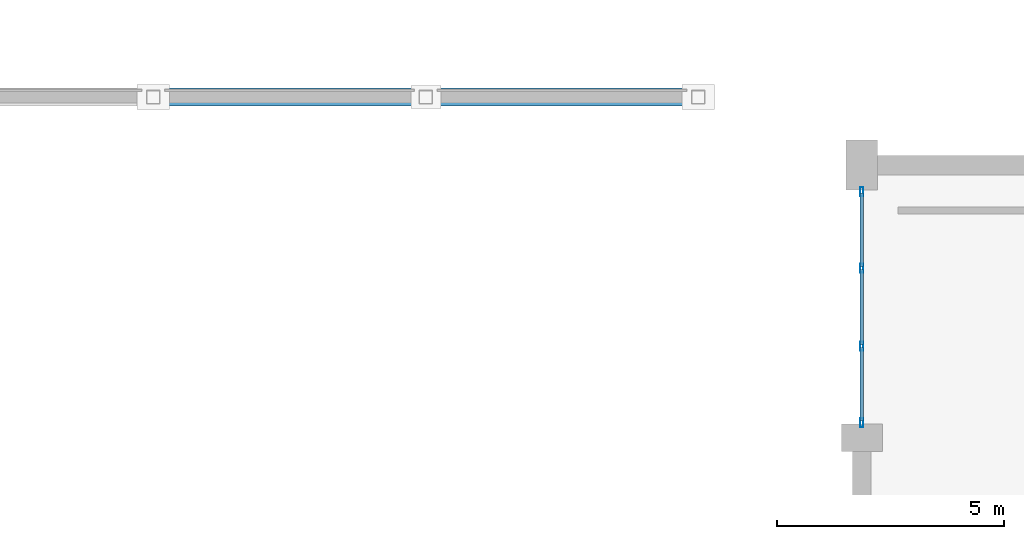
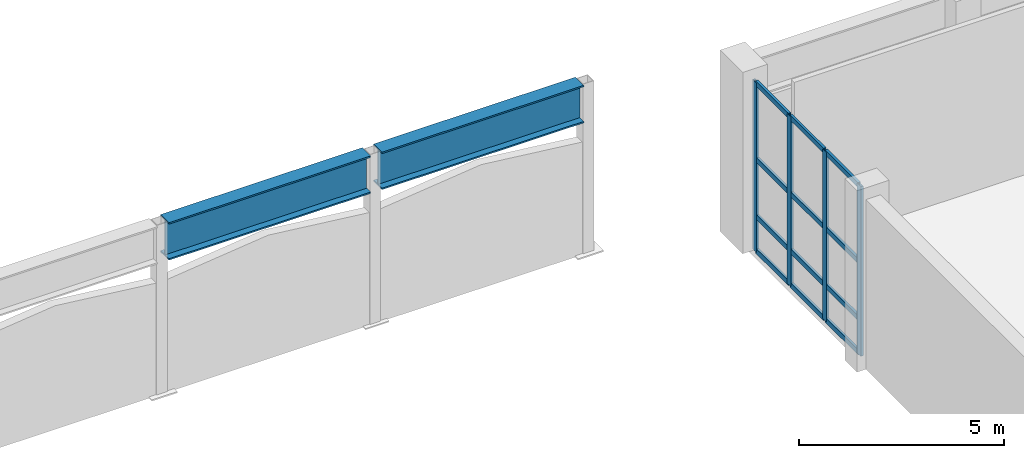
# One storey, part 16 of 41: 16 members, 2 beams, 1 element without a shape of its own.
"""IFC4 building model written with IfcOpenShell, lengths in metres."""

from ifc_helpers import new_model, si_unit, direction, frame, origin, origin_2d, place, context, subcontext, project, spatial, hollow_rectangle, i_section, extrude, material, layer, layer_set, material_profile, profile_set, type_object, element, aggregate, save


model = new_model("IFC4")

# Units and contexts
model_context = context("Model", 3, precision=1e-05, world=origin(), true_north=direction((0.0, 1.0)))
body_context = subcontext(model_context, "Body", "Model", "MODEL_VIEW")
ifc_project = project(units=[si_unit("LENGTHUNIT", "METRE"), si_unit("AREAUNIT", "SQUARE_METRE"), si_unit("VOLUMEUNIT", "CUBIC_METRE"), si_unit("PLANEANGLEUNIT", "RADIAN"), si_unit("MASSUNIT", "GRAM", prefix="KILO")], contexts=[model_context])

# Site, building, storey
site_placement = place(None, origin())
site = spatial("IfcSite", under=ifc_project, at=site_placement, CompositionType="ELEMENT")
building_placement = place(site_placement, origin())
building = spatial("IfcBuilding", under=site, at=building_placement, Name="Vaelkrest Opera House", CompositionType="ELEMENT")
storey_placement = place(building_placement, frame((0.0, 0.0, 24.60009765625)))
storey = spatial("IfcBuildingStorey", under=building, at=storey_placement, Name="L05", CompositionType="ELEMENT", Elevation=24.60009765625)

# Curtain wall, members
ifc_material_1 = material(Name="Dark bronze anodized aluminium", Category="aluminium")
ifc_layer = layer(ifc_material_1, 0.18994140625)
ifc_layer_set = layer_set([ifc_layer], Name="Dark bronze anodized aluminium")
curtain_wall_type = type_object("IfcCurtainWallType", Name="CW02", PredefinedType="NOTDEFINED", material=ifc_layer_set)
curtain_wall_placement = place(storey_placement, origin())
curtain_wall = element("IfcCurtainWall", 1, at=curtain_wall_placement, inside=storey, type_object=curtain_wall_type, Name="Curtain wall CW-L05-076", PredefinedType="NOTDEFINED")
ifc_material_profile_1 = material_profile(ifc_material_1, hollow_rectangle(XDim=0.070068359375, YDim=0.199951171875, WallThickness=0.004150390625, at=origin_2d()), Name="CWM70X200")
ifc_profile_set_1 = profile_set([ifc_material_profile_1], Name="Dark bronze anodized aluminium")
member_type_1 = type_object("IfcMemberType", Name="CWM02", PredefinedType="MULLION", material=ifc_profile_set_1)
member_1_placement = place(storey_placement, frame((-30.0, 10.532958984375, 0.0), z_axis=(0.0, 0.0, 1.0), x_axis=(-1.0, 0.0, 0.0)))
member_1 = element("IfcMember", 2, at=member_1_placement, type_object=member_type_1, Name="CW02 mullion 1", PredefinedType="MULLION", context=body_context, shape_type="SweptSolid", body=[
    extrude(hollow_rectangle(XDim=0.070068359375, YDim=0.199951171875, WallThickness=0.004150390625, at=origin_2d()), origin(), (0.0, 0.0, 1.0), 5.0498046875),
])
member_2_placement = place(storey_placement, frame((-30.0, 12.216064453125, 0.0), z_axis=(0.0, 0.0, 1.0), x_axis=(-1.0, 0.0, 0.0)))
member_2 = element("IfcMember", 3, at=member_2_placement, type_object=member_type_1, Name="CW02 mullion 2", PredefinedType="MULLION", context=body_context, shape_type="SweptSolid", body=[
    extrude(hollow_rectangle(XDim=0.070068359375, YDim=0.199951171875, WallThickness=0.004150390625, at=origin_2d()), origin(), (0.0, 0.0, 1.0), 5.0498046875),
])
member_3_placement = place(storey_placement, frame((-30.0, 13.93408203125, 0.0), z_axis=(0.0, 0.0, 1.0), x_axis=(-1.0, 0.0, 0.0)))
member_3 = element("IfcMember", 4, at=member_3_placement, type_object=member_type_1, Name="CW02 mullion 3", PredefinedType="MULLION", context=body_context, shape_type="SweptSolid", body=[
    extrude(hollow_rectangle(XDim=0.070068359375, YDim=0.199951171875, WallThickness=0.004150390625, at=origin_2d()), origin(), (0.0, 0.0, 1.0), 5.0498046875),
])
member_4_placement = place(storey_placement, frame((-30.0, 15.616943359375, 0.0), z_axis=(0.0, 0.0, 1.0), x_axis=(-1.0, 0.0, 0.0)))
member_4 = element("IfcMember", 5, at=member_4_placement, type_object=member_type_1, Name="CW02 mullion 4", PredefinedType="MULLION", context=body_context, shape_type="SweptSolid", body=[
    extrude(hollow_rectangle(XDim=0.070068359375, YDim=0.199951171875, WallThickness=0.004150390625, at=origin_2d()), origin(), (0.0, 0.0, 1.0), 5.0498046875),
])
ifc_material_profile_2 = material_profile(ifc_material_1, hollow_rectangle(XDim=0.070068359375, YDim=0.14990234375, WallThickness=0.004150390625, at=origin_2d()), Name="CWT70X150")
ifc_profile_set_2 = profile_set([ifc_material_profile_2], Name="Dark bronze anodized aluminium")
member_type_2 = type_object("IfcMemberType", Name="CWT02", PredefinedType="USERDEFINED", material=ifc_profile_set_2)
member_5_placement = place(storey_placement, frame((-30.0, 10.568115234375, 0.034912109375), z_axis=(0.0, 1.0, 0.0), x_axis=(-1.0, 0.0, 0.0)))
member_5 = element("IfcMember", 6, at=member_5_placement, type_object=member_type_2, Name="CW02 transom 1.1", ObjectType="TRANSOM", PredefinedType="USERDEFINED", context=body_context, shape_type="SweptSolid", body=[
    extrude(hollow_rectangle(XDim=0.070068359375, YDim=0.14990234375, WallThickness=0.004150390625, at=origin_2d()), origin(), (0.0, 0.0, 1.0), 1.61279296875),
])
member_6_placement = place(storey_placement, frame((-30.0, 10.568115234375, 1.0498046875), z_axis=(0.0, 1.0, 0.0), x_axis=(-1.0, 0.0, 0.0)))
member_6 = element("IfcMember", 7, at=member_6_placement, type_object=member_type_2, Name="CW02 transom 1.2", ObjectType="TRANSOM", PredefinedType="USERDEFINED", context=body_context, shape_type="SweptSolid", body=[
    extrude(hollow_rectangle(XDim=0.070068359375, YDim=0.14990234375, WallThickness=0.004150390625, at=origin_2d()), origin(), (0.0, 0.0, 1.0), 1.61279296875),
])
member_7_placement = place(storey_placement, frame((-30.0, 10.568115234375, 2.75), z_axis=(0.0, 1.0, 0.0), x_axis=(-1.0, 0.0, 0.0)))
member_7 = element("IfcMember", 8, at=member_7_placement, type_object=member_type_2, Name="CW02 transom 1.3", ObjectType="TRANSOM", PredefinedType="USERDEFINED", context=body_context, shape_type="SweptSolid", body=[
    extrude(hollow_rectangle(XDim=0.070068359375, YDim=0.14990234375, WallThickness=0.004150390625, at=origin_2d()), origin(), (0.0, 0.0, 1.0), 1.61279296875),
])
member_8_placement = place(storey_placement, frame((-30.0, 10.568115234375, 5.014892578125), z_axis=(0.0, 1.0, 0.0), x_axis=(-1.0, 0.0, 0.0)))
member_8 = element("IfcMember", 9, at=member_8_placement, type_object=member_type_2, Name="CW02 transom 1.4", ObjectType="TRANSOM", PredefinedType="USERDEFINED", context=body_context, shape_type="SweptSolid", body=[
    extrude(hollow_rectangle(XDim=0.070068359375, YDim=0.14990234375, WallThickness=0.004150390625, at=origin_2d()), origin(), (0.0, 0.0, 1.0), 1.61279296875),
])
member_9_placement = place(storey_placement, frame((-30.0, 12.2509765625, 0.034912109375), z_axis=(0.0, 1.0, 0.0), x_axis=(-1.0, 0.0, 0.0)))
member_9 = element("IfcMember", 10, at=member_9_placement, type_object=member_type_2, Name="CW02 transom 2.1", ObjectType="TRANSOM", PredefinedType="USERDEFINED", context=body_context, shape_type="SweptSolid", body=[
    extrude(hollow_rectangle(XDim=0.070068359375, YDim=0.14990234375, WallThickness=0.004150390625, at=origin_2d()), origin(), (0.0, 0.0, 1.0), 1.64794921875),
])
member_10_placement = place(storey_placement, frame((-30.0, 12.2509765625, 1.0498046875), z_axis=(0.0, 1.0, 0.0), x_axis=(-1.0, 0.0, 0.0)))
member_10 = element("IfcMember", 11, at=member_10_placement, type_object=member_type_2, Name="CW02 transom 2.2", ObjectType="TRANSOM", PredefinedType="USERDEFINED", context=body_context, shape_type="SweptSolid", body=[
    extrude(hollow_rectangle(XDim=0.070068359375, YDim=0.14990234375, WallThickness=0.004150390625, at=origin_2d()), origin(), (0.0, 0.0, 1.0), 1.64794921875),
])
member_11_placement = place(storey_placement, frame((-30.0, 12.2509765625, 2.75), z_axis=(0.0, 1.0, 0.0), x_axis=(-1.0, 0.0, 0.0)))
member_11 = element("IfcMember", 12, at=member_11_placement, type_object=member_type_2, Name="CW02 transom 2.3", ObjectType="TRANSOM", PredefinedType="USERDEFINED", context=body_context, shape_type="SweptSolid", body=[
    extrude(hollow_rectangle(XDim=0.070068359375, YDim=0.14990234375, WallThickness=0.004150390625, at=origin_2d()), origin(), (0.0, 0.0, 1.0), 1.64794921875),
])
member_12_placement = place(storey_placement, frame((-30.0, 12.2509765625, 5.014892578125), z_axis=(0.0, 1.0, 0.0), x_axis=(-1.0, 0.0, 0.0)))
member_12 = element("IfcMember", 13, at=member_12_placement, type_object=member_type_2, Name="CW02 transom 2.4", ObjectType="TRANSOM", PredefinedType="USERDEFINED", context=body_context, shape_type="SweptSolid", body=[
    extrude(hollow_rectangle(XDim=0.070068359375, YDim=0.14990234375, WallThickness=0.004150390625, at=origin_2d()), origin(), (0.0, 0.0, 1.0), 1.64794921875),
])
member_13_placement = place(storey_placement, frame((-30.0, 13.968994140625, 0.034912109375), z_axis=(0.0, 1.0, 0.0), x_axis=(-1.0, 0.0, 0.0)))
member_13 = element("IfcMember", 14, at=member_13_placement, type_object=member_type_2, Name="CW02 transom 3.1", ObjectType="TRANSOM", PredefinedType="USERDEFINED", context=body_context, shape_type="SweptSolid", body=[
    extrude(hollow_rectangle(XDim=0.070068359375, YDim=0.14990234375, WallThickness=0.004150390625, at=origin_2d()), origin(), (0.0, 0.0, 1.0), 1.613037109375),
])
member_14_placement = place(storey_placement, frame((-30.0, 13.968994140625, 1.0498046875), z_axis=(0.0, 1.0, 0.0), x_axis=(-1.0, 0.0, 0.0)))
member_14 = element("IfcMember", 15, at=member_14_placement, type_object=member_type_2, Name="CW02 transom 3.2", ObjectType="TRANSOM", PredefinedType="USERDEFINED", context=body_context, shape_type="SweptSolid", body=[
    extrude(hollow_rectangle(XDim=0.070068359375, YDim=0.14990234375, WallThickness=0.004150390625, at=origin_2d()), origin(), (0.0, 0.0, 1.0), 1.613037109375),
])
member_15_placement = place(storey_placement, frame((-30.0, 13.968994140625, 2.75), z_axis=(0.0, 1.0, 0.0), x_axis=(-1.0, 0.0, 0.0)))
member_15 = element("IfcMember", 16, at=member_15_placement, type_object=member_type_2, Name="CW02 transom 3.3", ObjectType="TRANSOM", PredefinedType="USERDEFINED", context=body_context, shape_type="SweptSolid", body=[
    extrude(hollow_rectangle(XDim=0.070068359375, YDim=0.14990234375, WallThickness=0.004150390625, at=origin_2d()), origin(), (0.0, 0.0, 1.0), 1.613037109375),
])
member_16_placement = place(storey_placement, frame((-30.0, 13.968994140625, 5.014892578125), z_axis=(0.0, 1.0, 0.0), x_axis=(-1.0, 0.0, 0.0)))
member_16 = element("IfcMember", 17, at=member_16_placement, type_object=member_type_2, Name="CW02 transom 3.4", ObjectType="TRANSOM", PredefinedType="USERDEFINED", context=body_context, shape_type="SweptSolid", body=[
    extrude(hollow_rectangle(XDim=0.070068359375, YDim=0.14990234375, WallThickness=0.004150390625, at=origin_2d()), origin(), (0.0, 0.0, 1.0), 1.613037109375),
])
aggregate(curtain_wall, [member_1, member_2, member_3, member_4, member_5, member_6, member_7, member_8, member_9, member_10, member_11, member_12, member_13, member_14, member_15, member_16])

# Beams
ifc_material_2 = material(Name="Steel A992 Gr50", Category="steel")
ifc_material_profile_3 = material_profile(ifc_material_2, i_section(OverallWidth=0.405029296875, OverallDepth=1.117919921875, WebThickness=0.02587890625, FlangeThickness=0.044921875, at=origin_2d()), Name="W44X335")
ifc_profile_set_3 = profile_set([ifc_material_profile_3], Name="Steel A992 Gr50")
beam_type = type_object("IfcBeamType", Name="SP05", PredefinedType="SPANDREL", material=ifc_profile_set_3)
for number, where, z_axis, x_axis, name in (
    (18, (-45.43994140625, 17.699951171875, 4.52978515625), (1.0, 0.0, 0.0), (0.0, 1.0, 0.0), "Roof transfer ring girder V3-N-06"),
    (19, (-39.43994140625, 17.699951171875, 4.52978515625), (1.0, 0.0, 0.0), (0.0, 1.0, 0.0), "Roof transfer ring girder V3-N-07"),
):
    element("IfcBeam", number, at=place(storey_placement, frame(where, z_axis=z_axis, x_axis=x_axis)), inside=storey, type_object=beam_type, Name=name, PredefinedType="SPANDREL", context=body_context, shape_type="SweptSolid", body=[
        extrude(i_section(OverallWidth=0.405029296875, OverallDepth=1.117919921875, WebThickness=0.02587890625, FlangeThickness=0.044921875, at=origin_2d()), origin(), (0.0, 0.0, 1.0), 5.679931640625),
    ])

save(model, "model.ifc")
